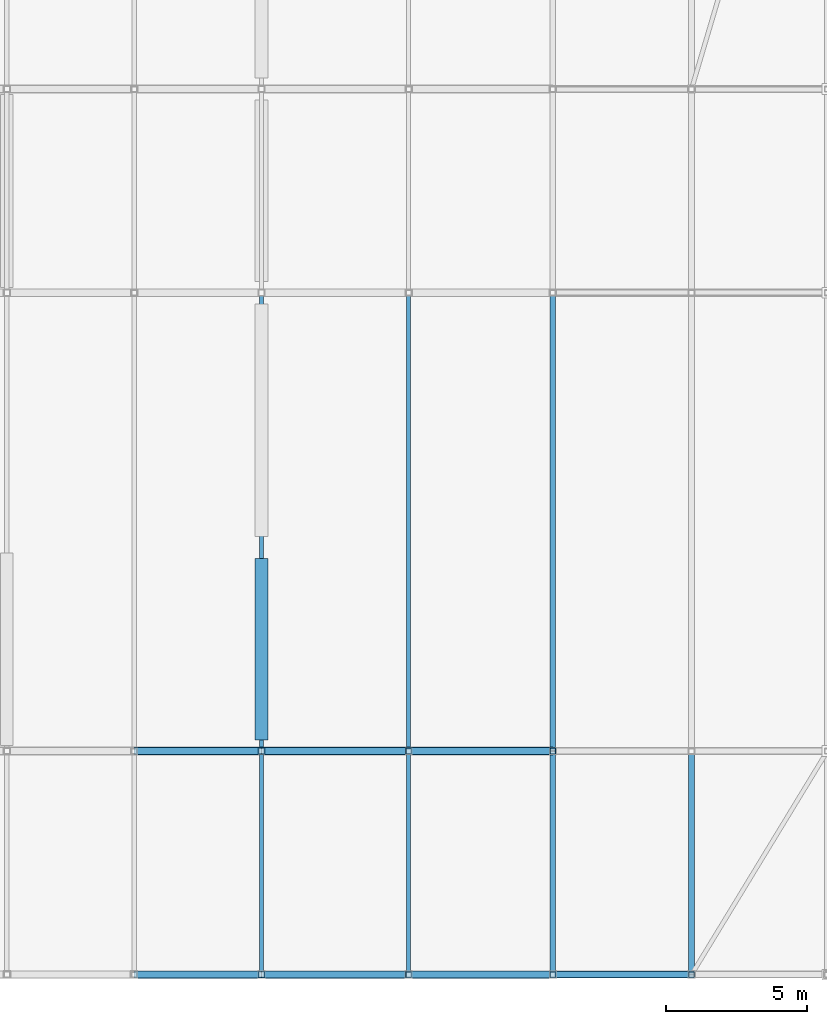
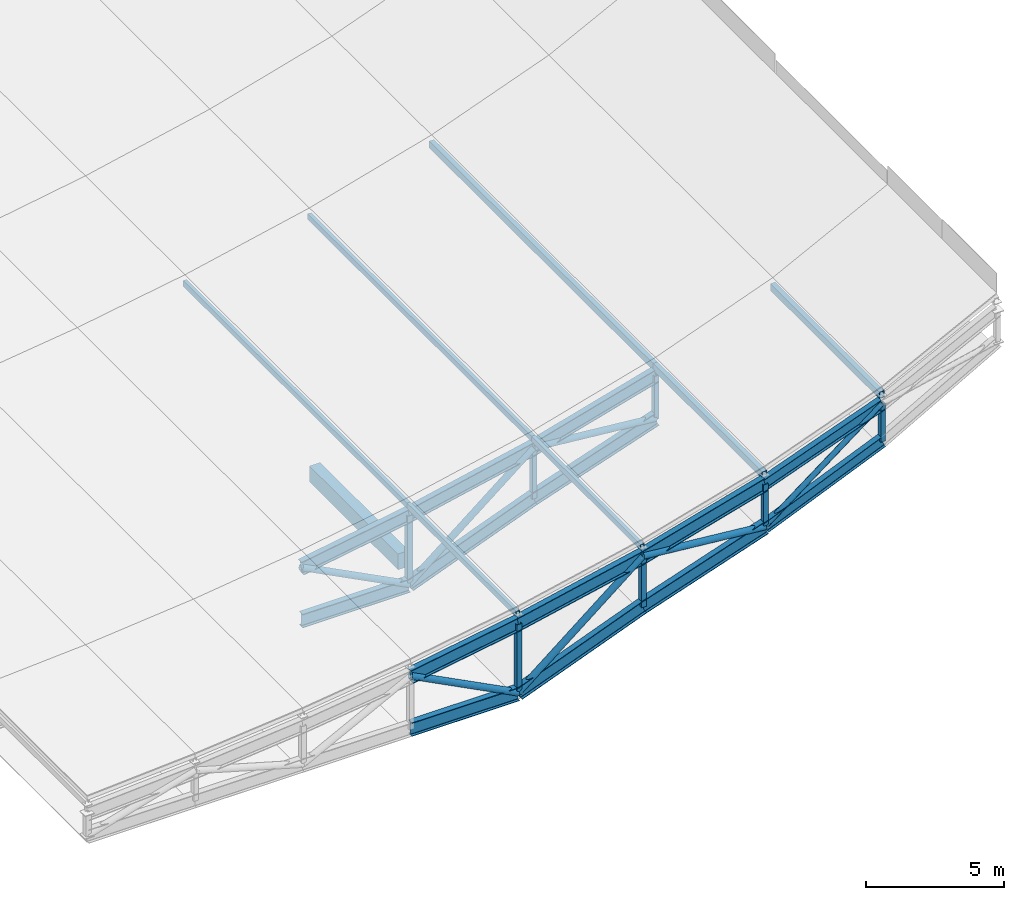
# One storey, part 5 of 24: 21 members, 15 beams.
"""IFC4 building model written with IfcOpenShell, lengths in metres."""

from ifc_helpers import new_model, si_unit, direction, frame, origin, origin_2d, place, context, subcontext, project, spatial, rectangle, hollow_rectangle, hollow_circle, i_section, extrude, material, material_profile, profile_set, type_object, element, save


model = new_model("IFC4")

# Units and contexts
model_context = context("Model", 3, precision=1e-05, world=origin(), true_north=direction((0.0, 1.0)))
body_context = subcontext(model_context, "Body", "Model", "MODEL_VIEW")
ifc_project = project(units=[si_unit("LENGTHUNIT", "METRE"), si_unit("AREAUNIT", "SQUARE_METRE"), si_unit("VOLUMEUNIT", "CUBIC_METRE"), si_unit("PLANEANGLEUNIT", "RADIAN"), si_unit("MASSUNIT", "GRAM", prefix="KILO"), si_unit("THERMODYNAMICTEMPERATUREUNIT", "KELVIN"), si_unit("POWERUNIT", "WATT")], contexts=[model_context])

# Site, building, storey
site_placement = place(None, origin())
site = spatial("IfcSite", under=ifc_project, at=site_placement, CompositionType="ELEMENT")
building_placement = place(site_placement, origin())
building = spatial("IfcBuilding", under=site, at=building_placement, Name="Sindhuravela Promenade Stadium", CompositionType="ELEMENT")
storey_placement = place(building_placement, frame((0.0, 0.0, 28.800048828125)))
storey = spatial("IfcBuildingStorey", under=building, at=storey_placement, Name="RF", CompositionType="ELEMENT", Elevation=28.800048828125)

# Beams
ifc_material_1 = material(Name="Concrete M40", Category="concrete")
ifc_material_profile_1 = material_profile(ifc_material_1, rectangle(XDim=0.449951171875, YDim=0.699951171875, at=origin_2d()), Name="RC 450x700")
ifc_profile_set_1 = profile_set([ifc_material_profile_1], Name="Concrete M40")
beam_type_1 = type_object("IfcBeamType", Name="RC-BM-450x700", PredefinedType="BEAM", material=ifc_profile_set_1)
beam_1_placement = place(storey_placement, frame((36.0, 45.389892578125, -0.590087890625), z_axis=(0.0, 1.0, 0.0), x_axis=(-1.0, 0.0, 0.0)))
element("IfcBeam", 1, at=beam_1_placement, inside=storey, type_object=beam_type_1, Name="Primary beam GB07 WEST RF", PredefinedType="BEAM", context=body_context, shape_type="SweptSolid", body=[
    extrude(rectangle(XDim=0.449951171875, YDim=0.699951171875, at=origin_2d()), origin(), (0.0, 0.0, 1.0), 6.420166015625),
])
ifc_material_2 = material(Name="Steel E350 (IS 2062 E350BR)", Category="steel")
ifc_material_profile_2 = material_profile(ifc_material_2, i_section(OverallWidth=0.25, OverallDepth=0.5, WebThickness=0.010009765625, FlangeThickness=0.0146484375, FilletRadius=0.014892578125, at=origin_2d()), Name="ISWB 500")
ifc_profile_set_2 = profile_set([ifc_material_profile_2], Name="Steel E350 (IS 2062 E350BR)")
beam_type_2 = type_object("IfcBeamType", Name="ST-BM-WB500", PredefinedType="USERDEFINED", material=ifc_profile_set_2)
beam_2_placement = place(storey_placement, frame((46.300048828125, 37.10009765625, 4.24658203125), z_axis=(0.9381490392087664, 0.0, 0.34623168577076896), x_axis=(0.0, 1.0, 0.0)))
element("IfcBeam", 2, at=beam_2_placement, inside=storey, type_object=beam_type_2, Name="Roof truss RT-W01 top chord 7", ObjectType="ROOF TRUSS", PredefinedType="USERDEFINED", context=body_context, shape_type="SweptSolid", body=[
    extrude(i_section(OverallWidth=0.25, OverallDepth=0.5, WebThickness=0.010009765625, FlangeThickness=0.0146484375, FilletRadius=0.014892578125, at=origin_2d()), origin(), (0.0, 0.0, 1.0), 5.222900390625),
])
beam_3_placement = place(storey_placement, frame((46.300048828125, 37.10009765625, 2.325927734375), z_axis=(0.9202112137061758, 0.0, 0.39142217894417647), x_axis=(0.0, 1.0, 0.0)))
element("IfcBeam", 3, at=beam_3_placement, inside=storey, type_object=beam_type_2, Name="Roof truss RT-W01 bottom chord 7", ObjectType="ROOF TRUSS", PredefinedType="USERDEFINED", context=body_context, shape_type="SweptSolid", body=[
    extrude(i_section(OverallWidth=0.25, OverallDepth=0.5, WebThickness=0.010009765625, FlangeThickness=0.0146484375, FilletRadius=0.014892578125, at=origin_2d()), origin(), (0.0, 0.0, 1.0), 5.32470703125),
])
ifc_material_profile_3 = material_profile(ifc_material_2, i_section(OverallWidth=0.25, OverallDepth=0.60009765625, WebThickness=0.01171875, FlangeThickness=0.023681640625, FilletRadius=0.01708984375, at=origin_2d()), Name="ISWB 600")
ifc_profile_set_3 = profile_set([ifc_material_profile_3], Name="Steel E350 (IS 2062 E350BR)")
beam_type_3 = type_object("IfcBeamType", Name="ST-BM-WB600", PredefinedType="USERDEFINED", material=ifc_profile_set_3)
beam_4_placement = place(storey_placement, frame((31.5, 37.10009765625, 0.91796875), z_axis=(0.9860007817439423, 0.0, 0.16674069209504494), x_axis=(0.0, 1.0, 0.0)))
element("IfcBeam", 4, at=beam_4_placement, inside=storey, type_object=beam_type_3, Name="Roof truss RT-W01 top chord 4", ObjectType="ROOF TRUSS", PredefinedType="USERDEFINED", context=body_context, shape_type="SweptSolid", body=[
    extrude(i_section(OverallWidth=0.25, OverallDepth=0.60009765625, WebThickness=0.01171875, FlangeThickness=0.023681640625, FilletRadius=0.01708984375, at=origin_2d()), origin(), (0.0, 0.0, 1.0), 4.56396484375),
])
beam_5_placement = place(storey_placement, frame((31.5, 37.10009765625, -1.400146484375), z_axis=(1.0, 0.0, 0.0), x_axis=(0.0, 1.0, 0.0)))
element("IfcBeam", 5, at=beam_5_placement, inside=storey, type_object=beam_type_3, Name="Roof truss RT-W01 bottom chord 4", ObjectType="ROOF TRUSS", PredefinedType="USERDEFINED", context=body_context, shape_type="SweptSolid", body=[
    extrude(i_section(OverallWidth=0.25, OverallDepth=0.60009765625, WebThickness=0.01171875, FlangeThickness=0.023681640625, FilletRadius=0.01708984375, at=origin_2d()), origin(), (0.0, 0.0, 1.0), 4.5),
])
beam_6_placement = place(storey_placement, frame((36.0, 37.10009765625, 1.678955078125), z_axis=(0.9771784342317954, 0.0, 0.21242012068609853), x_axis=(0.0, 1.0, 0.0)))
element("IfcBeam", 6, at=beam_6_placement, inside=storey, type_object=beam_type_3, Name="Roof truss RT-W01 top chord 5", ObjectType="ROOF TRUSS", PredefinedType="USERDEFINED", context=body_context, shape_type="SweptSolid", body=[
    extrude(i_section(OverallWidth=0.25, OverallDepth=0.60009765625, WebThickness=0.01171875, FlangeThickness=0.023681640625, FilletRadius=0.01708984375, at=origin_2d()), origin(), (0.0, 0.0, 1.0), 5.3212890625),
])
beam_7_placement = place(storey_placement, frame((36.0, 37.10009765625, -1.400146484375), z_axis=(0.9332269823320635, 0.0, 0.3592873494118466), x_axis=(0.0, 1.0, 0.0)))
element("IfcBeam", 7, at=beam_7_placement, inside=storey, type_object=beam_type_3, Name="Roof truss RT-W01 bottom chord 5", ObjectType="ROOF TRUSS", PredefinedType="USERDEFINED", context=body_context, shape_type="SweptSolid", body=[
    extrude(i_section(OverallWidth=0.25, OverallDepth=0.60009765625, WebThickness=0.01171875, FlangeThickness=0.023681640625, FilletRadius=0.01708984375, at=origin_2d()), origin(), (0.0, 0.0, 1.0), 5.572021484375),
])
beam_8_placement = place(storey_placement, frame((41.199951171875, 37.10009765625, 2.809326171875), z_axis=(0.9625104587283877, 0.0, 0.2712445701548118), x_axis=(0.0, 1.0, 0.0)))
element("IfcBeam", 8, at=beam_8_placement, inside=storey, type_object=beam_type_3, Name="Roof truss RT-W01 top chord 6", ObjectType="ROOF TRUSS", PredefinedType="USERDEFINED", context=body_context, shape_type="SweptSolid", body=[
    extrude(i_section(OverallWidth=0.25, OverallDepth=0.60009765625, WebThickness=0.01171875, FlangeThickness=0.023681640625, FilletRadius=0.01708984375, at=origin_2d()), origin(), (0.0, 0.0, 1.0), 5.298828125),
])
beam_9_placement = place(storey_placement, frame((41.199951171875, 37.10009765625, 0.601806640625), z_axis=(0.947332432417477, 0.0, 0.32025187351518536), x_axis=(0.0, 1.0, 0.0)))
element("IfcBeam", 9, at=beam_9_placement, inside=storey, type_object=beam_type_3, Name="Roof truss RT-W01 bottom chord 6", ObjectType="ROOF TRUSS", PredefinedType="USERDEFINED", context=body_context, shape_type="SweptSolid", body=[
    extrude(i_section(OverallWidth=0.25, OverallDepth=0.60009765625, WebThickness=0.01171875, FlangeThickness=0.023681640625, FilletRadius=0.01708984375, at=origin_2d()), origin(), (0.0, 0.0, 1.0), 5.383544921875),
])
beam_10_placement = place(storey_placement, frame((31.5, 45.0, 0.91796875), z_axis=(0.9860007817439423, 0.0, 0.16674069209504494), x_axis=(0.0, 1.0, 0.0)))
element("IfcBeam", 10, at=beam_10_placement, inside=storey, type_object=beam_type_3, Name="Roof truss RT-W02 top chord 4", ObjectType="ROOF TRUSS", PredefinedType="USERDEFINED", context=body_context, shape_type="SweptSolid", body=[
    extrude(i_section(OverallWidth=0.25, OverallDepth=0.60009765625, WebThickness=0.01171875, FlangeThickness=0.023681640625, FilletRadius=0.01708984375, at=origin_2d()), origin(), (0.0, 0.0, 1.0), 4.56396484375),
])
beam_11_placement = place(storey_placement, frame((31.5, 45.0, -1.400146484375), z_axis=(1.0, 0.0, 0.0), x_axis=(0.0, 1.0, 0.0)))
element("IfcBeam", 11, at=beam_11_placement, inside=storey, type_object=beam_type_3, Name="Roof truss RT-W02 bottom chord 4", ObjectType="ROOF TRUSS", PredefinedType="USERDEFINED", context=body_context, shape_type="SweptSolid", body=[
    extrude(i_section(OverallWidth=0.25, OverallDepth=0.60009765625, WebThickness=0.01171875, FlangeThickness=0.023681640625, FilletRadius=0.01708984375, at=origin_2d()), origin(), (0.0, 0.0, 1.0), 4.5),
])
beam_12_placement = place(storey_placement, frame((36.0, 45.0, 1.678955078125), z_axis=(0.9771784342317954, 0.0, 0.21242012068609853), x_axis=(0.0, 1.0, 0.0)))
element("IfcBeam", 12, at=beam_12_placement, inside=storey, type_object=beam_type_3, Name="Roof truss RT-W02 top chord 5", ObjectType="ROOF TRUSS", PredefinedType="USERDEFINED", context=body_context, shape_type="SweptSolid", body=[
    extrude(i_section(OverallWidth=0.25, OverallDepth=0.60009765625, WebThickness=0.01171875, FlangeThickness=0.023681640625, FilletRadius=0.01708984375, at=origin_2d()), origin(), (0.0, 0.0, 1.0), 5.3212890625),
])
beam_13_placement = place(storey_placement, frame((36.0, 45.0, -1.400146484375), z_axis=(0.9332269823320635, 0.0, 0.3592873494118466), x_axis=(0.0, 1.0, 0.0)))
element("IfcBeam", 13, at=beam_13_placement, inside=storey, type_object=beam_type_3, Name="Roof truss RT-W02 bottom chord 5", ObjectType="ROOF TRUSS", PredefinedType="USERDEFINED", context=body_context, shape_type="SweptSolid", body=[
    extrude(i_section(OverallWidth=0.25, OverallDepth=0.60009765625, WebThickness=0.01171875, FlangeThickness=0.023681640625, FilletRadius=0.01708984375, at=origin_2d()), origin(), (0.0, 0.0, 1.0), 5.572021484375),
])
beam_14_placement = place(storey_placement, frame((41.199951171875, 45.0, 2.809326171875), z_axis=(0.9625104587283877, 0.0, 0.2712445701548118), x_axis=(0.0, 1.0, 0.0)))
element("IfcBeam", 14, at=beam_14_placement, inside=storey, type_object=beam_type_3, Name="Roof truss RT-W02 top chord 6", ObjectType="ROOF TRUSS", PredefinedType="USERDEFINED", context=body_context, shape_type="SweptSolid", body=[
    extrude(i_section(OverallWidth=0.25, OverallDepth=0.60009765625, WebThickness=0.01171875, FlangeThickness=0.023681640625, FilletRadius=0.01708984375, at=origin_2d()), origin(), (0.0, 0.0, 1.0), 5.298828125),
])
beam_15_placement = place(storey_placement, frame((41.199951171875, 45.0, 0.601806640625), z_axis=(0.947332432417477, 0.0, 0.32025187351518536), x_axis=(0.0, 1.0, 0.0)))
element("IfcBeam", 15, at=beam_15_placement, inside=storey, type_object=beam_type_3, Name="Roof truss RT-W02 bottom chord 6", ObjectType="ROOF TRUSS", PredefinedType="USERDEFINED", context=body_context, shape_type="SweptSolid", body=[
    extrude(i_section(OverallWidth=0.25, OverallDepth=0.60009765625, WebThickness=0.01171875, FlangeThickness=0.023681640625, FilletRadius=0.01708984375, at=origin_2d()), origin(), (0.0, 0.0, 1.0), 5.383544921875),
])

# Members
ifc_material_profile_4 = material_profile(ifc_material_2, hollow_circle(Radius=0.109619140625, WallThickness=0.010009765625, at=origin_2d()), Name="CHS 219.1x10")
ifc_profile_set_4 = profile_set([ifc_material_profile_4], Name="Steel E350 (IS 2062 E350BR)")
member_type_1 = type_object("IfcMemberType", Name="ST-MB-CHS219", PredefinedType="BRACE", material=ifc_profile_set_4)
member_1_placement = place(storey_placement, frame((46.300048828125, 37.10009765625, 2.325927734375), z_axis=(0.7957647236205557, 0.0, 0.605605898783277), x_axis=(0.0, 1.0, 0.0)))
element("IfcMember", 16, at=member_1_placement, inside=storey, type_object=member_type_1, Name="Roof truss RT-W01 diagonal web 7", PredefinedType="BRACE", context=body_context, shape_type="SweptSolid", body=[
    extrude(hollow_circle(Radius=0.109619140625, WallThickness=0.010009765625, at=origin_2d()), origin(), (0.0, 0.0, 1.0), 6.157470703125),
])
ifc_material_profile_5 = material_profile(ifc_material_2, hollow_circle(Radius=0.136474609375, WallThickness=0.010009765625, at=origin_2d()), Name="CHS 273.0x10")
ifc_profile_set_5 = profile_set([ifc_material_profile_5], Name="Steel E350 (IS 2062 E350BR)")
member_type_2 = type_object("IfcMemberType", Name="ST-MB-CHS273", PredefinedType="BRACE", material=ifc_profile_set_5)
member_2_placement = place(storey_placement, frame((31.5, 37.10009765625, 0.91796875), z_axis=(0.8889799113932431, 0.0, -0.457946194589781), x_axis=(0.0, 1.0, 0.0)))
element("IfcMember", 17, at=member_2_placement, inside=storey, type_object=member_type_2, Name="Roof truss RT-W01 diagonal web 4", PredefinedType="BRACE", context=body_context, shape_type="SweptSolid", body=[
    extrude(hollow_circle(Radius=0.136474609375, WallThickness=0.010009765625, at=origin_2d()), origin(), (0.0, 0.0, 1.0), 5.06201171875),
])
member_3_placement = place(storey_placement, frame((36.0, 37.10009765625, -1.400146484375), z_axis=(0.7772457205233317, 0.0, 0.6291971788939991), x_axis=(0.0, 1.0, 0.0)))
element("IfcMember", 18, at=member_3_placement, inside=storey, type_object=member_type_2, Name="Roof truss RT-W01 diagonal web 5", PredefinedType="BRACE", context=body_context, shape_type="SweptSolid", body=[
    extrude(hollow_circle(Radius=0.136474609375, WallThickness=0.010009765625, at=origin_2d()), origin(), (0.0, 0.0, 1.0), 6.690185546875),
])
member_4_placement = place(storey_placement, frame((41.199951171875, 37.10009765625, 2.809326171875), z_axis=(0.9955382080230687, 0.0, -0.09435929401080306), x_axis=(0.0, 1.0, 0.0)))
element("IfcMember", 19, at=member_4_placement, inside=storey, type_object=member_type_2, Name="Roof truss RT-W01 diagonal web 6", PredefinedType="BRACE", context=body_context, shape_type="SweptSolid", body=[
    extrude(hollow_circle(Radius=0.136474609375, WallThickness=0.010009765625, at=origin_2d()), origin(), (0.0, 0.0, 1.0), 5.123046875),
])
member_5_placement = place(storey_placement, frame((31.5, 45.0, 0.91796875), z_axis=(0.8889799113932431, 0.0, -0.457946194589781), x_axis=(0.0, 1.0, 0.0)))
element("IfcMember", 20, at=member_5_placement, inside=storey, type_object=member_type_2, Name="Roof truss RT-W02 diagonal web 4", PredefinedType="BRACE", context=body_context, shape_type="SweptSolid", body=[
    extrude(hollow_circle(Radius=0.136474609375, WallThickness=0.010009765625, at=origin_2d()), origin(), (0.0, 0.0, 1.0), 5.06201171875),
])
member_6_placement = place(storey_placement, frame((36.0, 45.0, -1.400146484375), z_axis=(0.7772457205233317, 0.0, 0.6291971788939991), x_axis=(0.0, 1.0, 0.0)))
element("IfcMember", 21, at=member_6_placement, inside=storey, type_object=member_type_2, Name="Roof truss RT-W02 diagonal web 5", PredefinedType="BRACE", context=body_context, shape_type="SweptSolid", body=[
    extrude(hollow_circle(Radius=0.136474609375, WallThickness=0.010009765625, at=origin_2d()), origin(), (0.0, 0.0, 1.0), 6.690185546875),
])
member_7_placement = place(storey_placement, frame((41.199951171875, 45.0, 2.809326171875), z_axis=(0.9955382080230687, 0.0, -0.09435929401080306), x_axis=(0.0, 1.0, 0.0)))
element("IfcMember", 22, at=member_7_placement, inside=storey, type_object=member_type_2, Name="Roof truss RT-W02 diagonal web 6", PredefinedType="BRACE", context=body_context, shape_type="SweptSolid", body=[
    extrude(hollow_circle(Radius=0.136474609375, WallThickness=0.010009765625, at=origin_2d()), origin(), (0.0, 0.0, 1.0), 5.123046875),
])
ifc_material_profile_6 = material_profile(ifc_material_2, hollow_rectangle(XDim=0.14990234375, YDim=0.25, WallThickness=0.010009765625, at=origin_2d()), Name="RHS 250x150x10")
ifc_profile_set_6 = profile_set([ifc_material_profile_6], Name="Steel E350 (IS 2062 E350BR)")
member_type_3 = type_object("IfcMemberType", Name="ST-MB-RHS250", PredefinedType="PURLIN", material=ifc_profile_set_6)
for number, where, z_axis, x_axis, name in (
    (23, (36.0, 37.10009765625, 2.071044921875), (0.0, 1.0, 0.0), (-1.0, 0.0, 0.0), "Roof purlin PR01 W bay 1.5"),
    (24, (41.199951171875, 37.10009765625, 3.201416015625), (0.0, 1.0, 0.0), (-1.0, 0.0, 0.0), "Roof purlin PR01 W bay 1.6"),
):
    element("IfcMember", number, at=place(storey_placement, frame(where, z_axis=z_axis, x_axis=x_axis)), inside=storey, type_object=member_type_3, Name=name, PredefinedType="PURLIN", context=body_context, shape_type="SweptSolid", body=[
        extrude(hollow_rectangle(XDim=0.14990234375, YDim=0.25, WallThickness=0.010009765625, at=origin_2d()), origin(), (0.0, 0.0, 1.0), 7.89990234375),
    ])
for number, where, z_axis, x_axis, name in (
    (25, (36.0, 45.0, 2.071044921875), (0.0, 1.0, 0.0), (-1.0, 0.0, 0.0), "Roof purlin PR01 W bay 2.5"),
    (26, (41.199951171875, 45.0, 3.201416015625), (0.0, 1.0, 0.0), (-1.0, 0.0, 0.0), "Roof purlin PR01 W bay 2.6"),
):
    element("IfcMember", number, at=place(storey_placement, frame(where, z_axis=z_axis, x_axis=x_axis)), inside=storey, type_object=member_type_3, Name=name, PredefinedType="PURLIN", context=body_context, shape_type="SweptSolid", body=[
        extrude(hollow_rectangle(XDim=0.14990234375, YDim=0.25, WallThickness=0.010009765625, at=origin_2d()), origin(), (0.0, 0.0, 1.0), 16.199951171875),
    ])
ifc_material_profile_7 = material_profile(ifc_material_2, hollow_rectangle(XDim=0.199951171875, YDim=0.300048828125, WallThickness=0.010009765625, at=origin_2d()), Name="RHS 300x200x10")
ifc_profile_set_7 = profile_set([ifc_material_profile_7], Name="Steel E350 (IS 2062 E350BR)")
member_type_4 = type_object("IfcMemberType", Name="ST-MB-RHS300", PredefinedType="PURLIN", material=ifc_profile_set_7)
for number, where, z_axis, x_axis, name in (
    (27, (46.300048828125, 37.10009765625, 4.613525390625), (0.0, 1.0, 0.0), (-1.0, 0.0, 0.0), "Roof purlin PR02 W bay 1.7"),
    (28, (51.199951171875, 37.10009765625, 6.422119140625), (0.0, 1.0, 0.0), (-1.0, 0.0, 0.0), "Roof purlin PR02 W bay 1.8"),
):
    element("IfcMember", number, at=place(storey_placement, frame(where, z_axis=z_axis, x_axis=x_axis)), inside=storey, type_object=member_type_4, Name=name, PredefinedType="PURLIN", context=body_context, shape_type="SweptSolid", body=[
        extrude(hollow_rectangle(XDim=0.199951171875, YDim=0.300048828125, WallThickness=0.010009765625, at=origin_2d()), origin(), (0.0, 0.0, 1.0), 7.89990234375),
    ])
member_8_placement = place(storey_placement, frame((46.300048828125, 45.0, 4.613525390625), z_axis=(0.0, 1.0, 0.0), x_axis=(-1.0, 0.0, 0.0)))
element("IfcMember", 29, at=member_8_placement, inside=storey, type_object=member_type_4, Name="Roof purlin PR02 W bay 2.7", PredefinedType="PURLIN", context=body_context, shape_type="SweptSolid", body=[
    extrude(hollow_rectangle(XDim=0.199951171875, YDim=0.300048828125, WallThickness=0.010009765625, at=origin_2d()), origin(), (0.0, 0.0, 1.0), 16.199951171875),
])
ifc_material_profile_8 = material_profile(ifc_material_2, hollow_rectangle(XDim=0.199951171875, YDim=0.199951171875, WallThickness=0.010009765625, at=origin_2d()), Name="SHS 200x200x10")
ifc_profile_set_8 = profile_set([ifc_material_profile_8], Name="Steel E350 (IS 2062 E350BR)")
member_type_5 = type_object("IfcMemberType", Name="ST-MB-SHS200", PredefinedType="POST", material=ifc_profile_set_8)
member_9_placement = place(storey_placement, frame((41.199951171875, 37.10009765625, 0.601806640625), z_axis=(0.0, 0.0, 1.0), x_axis=(1.0, 0.0, 0.0)))
element("IfcMember", 30, at=member_9_placement, inside=storey, type_object=member_type_5, Name="Roof truss RT-W01 vertical post 6", PredefinedType="POST", context=body_context, shape_type="SweptSolid", body=[
    extrude(hollow_rectangle(XDim=0.199951171875, YDim=0.199951171875, WallThickness=0.010009765625, at=origin_2d()), origin(), (0.0, 0.0, 1.0), 2.20751953125),
])
member_10_placement = place(storey_placement, frame((46.300048828125, 37.10009765625, 2.325927734375), z_axis=(0.0, 0.0, 1.0), x_axis=(1.0, 0.0, 0.0)))
element("IfcMember", 31, at=member_10_placement, inside=storey, type_object=member_type_5, Name="Roof truss RT-W01 vertical post 7", PredefinedType="POST", context=body_context, shape_type="SweptSolid", body=[
    extrude(hollow_rectangle(XDim=0.199951171875, YDim=0.199951171875, WallThickness=0.010009765625, at=origin_2d()), origin(), (0.0, 0.0, 1.0), 1.920654296875),
])
member_11_placement = place(storey_placement, frame((51.199951171875, 37.10009765625, 4.41015625), z_axis=(0.0, 0.0, 1.0), x_axis=(1.0, 0.0, 0.0)))
element("IfcMember", 32, at=member_11_placement, inside=storey, type_object=member_type_5, Name="Roof truss RT-W01 vertical post 8", PredefinedType="POST", context=body_context, shape_type="SweptSolid", body=[
    extrude(hollow_rectangle(XDim=0.199951171875, YDim=0.199951171875, WallThickness=0.010009765625, at=origin_2d()), origin(), (0.0, 0.0, 1.0), 1.644775390625),
])
member_12_placement = place(storey_placement, frame((41.199951171875, 45.0, 0.601806640625), z_axis=(0.0, 0.0, 1.0), x_axis=(1.0, 0.0, 0.0)))
element("IfcMember", 33, at=member_12_placement, inside=storey, type_object=member_type_5, Name="Roof truss RT-W02 vertical post 6", PredefinedType="POST", context=body_context, shape_type="SweptSolid", body=[
    extrude(hollow_rectangle(XDim=0.199951171875, YDim=0.199951171875, WallThickness=0.010009765625, at=origin_2d()), origin(), (0.0, 0.0, 1.0), 2.20751953125),
])
member_13_placement = place(storey_placement, frame((46.300048828125, 45.0, 2.325927734375), z_axis=(0.0, 0.0, 1.0), x_axis=(1.0, 0.0, 0.0)))
element("IfcMember", 34, at=member_13_placement, inside=storey, type_object=member_type_5, Name="Roof truss RT-W02 vertical post 7", PredefinedType="POST", context=body_context, shape_type="SweptSolid", body=[
    extrude(hollow_rectangle(XDim=0.199951171875, YDim=0.199951171875, WallThickness=0.010009765625, at=origin_2d()), origin(), (0.0, 0.0, 1.0), 1.920654296875),
])
ifc_material_profile_9 = material_profile(ifc_material_2, hollow_rectangle(XDim=0.219970703125, YDim=0.219970703125, WallThickness=0.011962890625, at=origin_2d()), Name="SHS 220x220x12")
ifc_profile_set_9 = profile_set([ifc_material_profile_9], Name="Steel E350 (IS 2062 E350BR)")
member_type_6 = type_object("IfcMemberType", Name="ST-MB-SHS220", PredefinedType="POST", material=ifc_profile_set_9)
for number, where, z_axis, x_axis, name in (
    (35, (36.0, 37.10009765625, -1.400146484375), (0.0, 0.0, 1.0), (1.0, 0.0, 0.0), "Roof truss RT-W01 vertical post 5"),
    (36, (36.0, 45.0, -1.400146484375), (0.0, 0.0, 1.0), (1.0, 0.0, 0.0), "Roof truss RT-W02 vertical post 5"),
):
    element("IfcMember", number, at=place(storey_placement, frame(where, z_axis=z_axis, x_axis=x_axis)), inside=storey, type_object=member_type_6, Name=name, PredefinedType="POST", context=body_context, shape_type="SweptSolid", body=[
        extrude(hollow_rectangle(XDim=0.219970703125, YDim=0.219970703125, WallThickness=0.011962890625, at=origin_2d()), origin(), (0.0, 0.0, 1.0), 3.0791015625),
    ])

save(model, "model.ifc")
